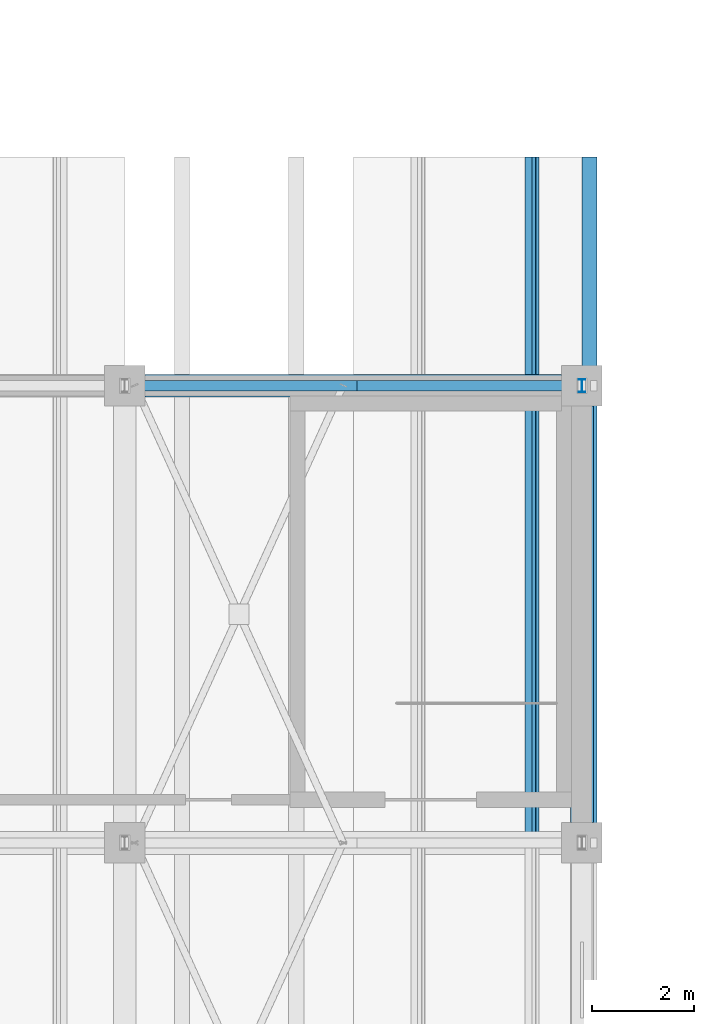
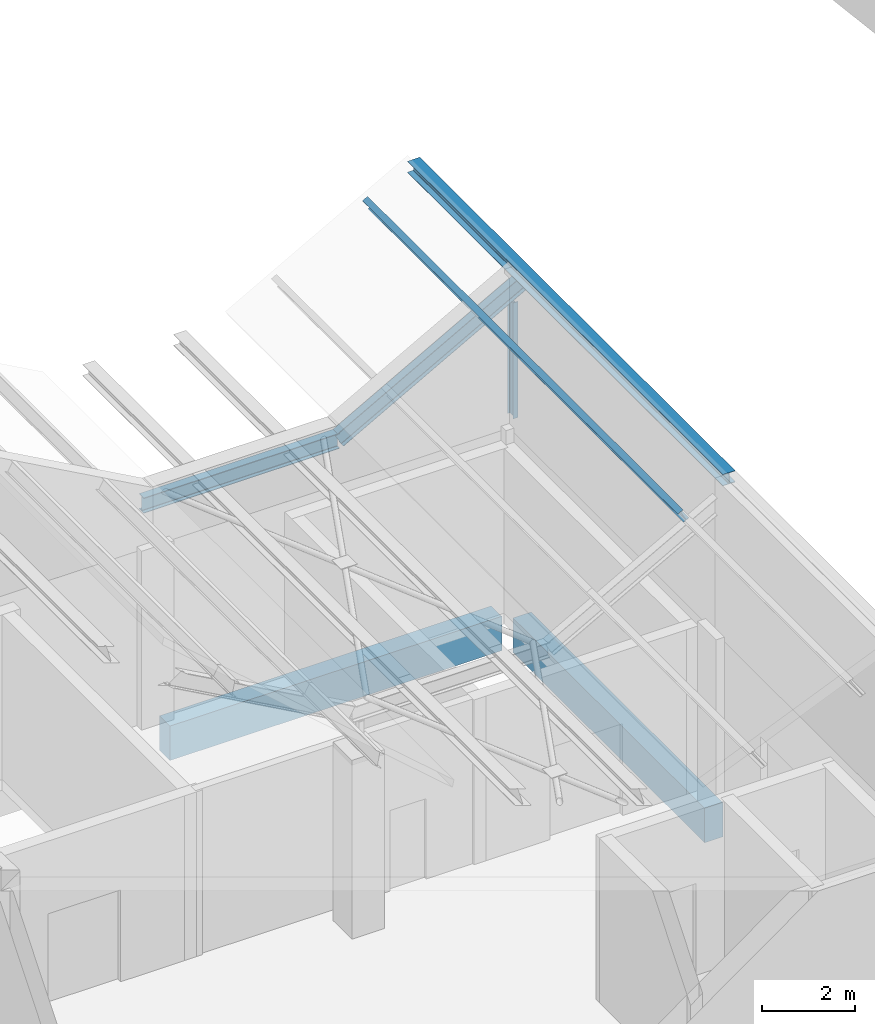
# One storey, part 77 of 437: 5 members, 2 beams.
"""IFC4 building model written with IfcOpenShell, lengths in metres."""

import ifcopenshell
import ifcopenshell.guid

model = None  # the IFC model being written
_history = None  # IfcOwnerHistory: only IFC2X3 demands one
_inside = {}  # id of a spatial element -> (the spatial element, [elements in it])
_under = {}  # id of a project, library or spatial element -> (it, [spatial elements below it])
_declared = {}  # id of a project -> (the project, [libraries it declares])
_typed = {}  # id of a type object -> (the type object, [elements of that type])
_made_of = {}  # id of a material, layer set ... -> (it, [elements and type objects made of it])


def new_model(schema):
    """Start an empty IFC model of exactly this schema.

    Asked for "IFC4X3", IfcOpenShell would pick the latest addendum, in which some entities
    have other attributes; the version numbers below select the first issue.
    IFC2X3 requires an IfcOwnerHistory on every rooted entity: one is made here for all.
    """
    global model, _history
    if schema == "IFC4X3":
        model = ifcopenshell.file(schema_version=(4, 3, 0, 0))
    else:
        model = ifcopenshell.file(schema=schema)
    _inside.clear()
    _under.clear()
    _declared.clear()
    _typed.clear()
    _made_of.clear()
    _history = None
    if model.schema == "IFC2X3":
        org = make("IfcOrganization", Name="unknown")
        user = make(
            "IfcPersonAndOrganization",
            ThePerson=make("IfcPerson", FamilyName="unknown"),
            TheOrganization=org,
        )
        app = make(
            "IfcApplication",
            ApplicationDeveloper=org,
            Version="unknown",
            ApplicationFullName="unknown",
            ApplicationIdentifier="unknown",
        )
        _history = make(
            "IfcOwnerHistory",
            OwningUser=user,
            OwningApplication=app,
            ChangeAction="ADDED",
            CreationDate=0,
        )
    return model


def make(cls, **values):
    """One entity of the class cls with the attributes given. An attribute that is None is left unset."""
    return model.create_entity(
        cls, **{name: value for name, value in values.items() if value is not None}
    )


def rooted(cls, **values):
    """An entity with a GlobalId (a new one), such as an element, a storey or a relation."""
    return make(cls, GlobalId=ifcopenshell.guid.new(), OwnerHistory=_history, **values)


def si_unit(unit_type, name, prefix=None):
    """IfcSIUnit, for example si_unit("LENGTHUNIT", "METRE", prefix="MILLI")."""
    return make("IfcSIUnit", UnitType=unit_type, Prefix=prefix, Name=name)


def assignment(units):
    """IfcUnitAssignment: the units of a project."""
    return None if units is None else make("IfcUnitAssignment", Units=units)


def point(xyz):
    """IfcCartesianPoint."""
    return None if xyz is None else make("IfcCartesianPoint", Coordinates=xyz)


def direction(xyz):
    """IfcDirection."""
    return None if xyz is None else make("IfcDirection", DirectionRatios=xyz)


def frame(location, z_axis=None, x_axis=None):
    """IfcAxis2Placement3D, a coordinate frame: its origin and axes. An axis left out is left unset."""
    return make(
        "IfcAxis2Placement3D",
        Location=point(location),
        Axis=direction(z_axis),
        RefDirection=direction(x_axis),
    )


def frame_2d(location, x_axis=None):
    """IfcAxis2Placement2D, a coordinate frame in the plane: its origin and x axis."""
    return make(
        "IfcAxis2Placement2D", Location=point(location), RefDirection=direction(x_axis)
    )


def origin():
    """The frame at (0, 0, 0) with its axes left unset."""
    return frame((0.0, 0.0, 0.0))


def origin_2d():
    """The frame at (0, 0) in the plane with its x axis left unset."""
    return frame_2d((0.0, 0.0))


def place(relative_to, where):
    """IfcLocalPlacement: puts the frame where relative to a parent placement (None: the world)."""
    return make(
        "IfcLocalPlacement", PlacementRelTo=relative_to, RelativePlacement=where
    )


def context(
    kind, dimensions, precision=None, world=None, true_north=None, identifier=None
):
    """IfcGeometricRepresentationContext, for example the 3D "Model" context."""
    return make(
        "IfcGeometricRepresentationContext",
        ContextIdentifier=identifier,
        ContextType=kind,
        CoordinateSpaceDimension=dimensions,
        Precision=precision,
        WorldCoordinateSystem=world,
        TrueNorth=true_north,
    )


def subcontext(parent, identifier, kind, view, scale=None):
    """IfcGeometricRepresentationSubContext, for example "Body" below "Model"."""
    return make(
        "IfcGeometricRepresentationSubContext",
        ContextIdentifier=identifier,
        ContextType=kind,
        ParentContext=parent,
        TargetScale=scale,
        TargetView=view,
    )


def project(units=None, contexts=None):
    """IfcProject with its units and contexts."""
    return rooted(
        "IfcProject",
        Name="project",
        RepresentationContexts=contexts,
        UnitsInContext=assignment(units),
    )


def spatial(cls, under=None, at=None, **own):
    """A site, building, storey or space (cls), placed at a placement, below another one or the project."""
    s = rooted(cls, ObjectPlacement=at, **own)
    if under is not None:
        _under.setdefault(under.id(), (under, []))[1].append(s)
    return s


def profile(cls, at=None, kind="AREA", **sizes):
    """A parametric profile (cls). Its sizes go by their IFC names, for example OverallWidth=200.0."""
    return make(cls, ProfileType=kind, Position=at, **sizes)


def rectangle(**sizes):
    """IfcRectangleProfileDef."""
    return profile("IfcRectangleProfileDef", **sizes)


def i_section(**sizes):
    """IfcIShapeProfileDef."""
    return profile("IfcIShapeProfileDef", **sizes)


def extrude(swept, where, along, depth):
    """IfcExtrudedAreaSolid: the profile swept, set in the frame where, extruded along a direction by depth."""
    return make(
        "IfcExtrudedAreaSolid",
        SweptArea=swept,
        Position=where,
        ExtrudedDirection=direction(along),
        Depth=depth,
    )


def shape(context_of_items, identifier, shape_type, items):
    """IfcShapeRepresentation: the items that make up one representation, for example the "Body"."""
    return make(
        "IfcShapeRepresentation",
        ContextOfItems=context_of_items,
        RepresentationIdentifier=identifier,
        RepresentationType=shape_type,
        Items=items,
    )


def material(Name=None, Category=None):
    """IfcMaterial."""
    return make("IfcMaterial", Name=Name, Category=Category)


def material_profile(
    of_material, cross_section, Name=None, Category=None, Priority=None
):
    """IfcMaterialProfile: a cross section and its material."""
    return make(
        "IfcMaterialProfile",
        Name=Name,
        Material=of_material,
        Profile=cross_section,
        Priority=Priority,
        Category=Category,
    )


def profile_set(profiles, Name=None, composite=None):
    """IfcMaterialProfileSet."""
    return make(
        "IfcMaterialProfileSet",
        Name=Name,
        MaterialProfiles=profiles,
        CompositeProfile=composite,
    )


def made_of(thing, what):
    """Note that an element or type object is made of a material, layer set ...; save() writes the relation."""
    if what is not None:
        _made_of.setdefault(what.id(), (what, []))[1].append(thing)
    return thing


def type_object(cls, material=None, **own):
    """A type object (cls), such as IfcWallType, which elements share."""
    return made_of(rooted(cls, **own), material)


def element(
    cls,
    number,
    at=None,
    inside=None,
    cuts=None,
    type_object=None,
    material=None,
    context=None,
    identifier="Body",
    shape_type=None,
    held_by="IfcProductDefinitionShape",
    body=None,
    shapes=None,
    **own,
):
    """One element of the class cls, such as IfcWall. Its Tag is "e" and its number.

    at: its placement. inside: the storey or other place that contains it. cuts: it is an
    opening in that element (IfcRelVoidsElement). A single representation is given by context,
    identifier, shape_type and body (its items); several are given by shapes. held_by: the class
    of the entity that holds the representations. save() writes the other relations.
    """
    e = rooted(cls, Tag="e%d" % number, ObjectPlacement=at, **own)
    if body is not None:
        shapes = [shape(context, identifier, shape_type, body)]
    if shapes is not None:
        e.Representation = make(held_by, Representations=shapes)
    if inside is not None:
        _inside.setdefault(inside.id(), (inside, []))[1].append(e)
    if cuts is not None:
        rooted(
            "IfcRelVoidsElement", RelatingBuildingElement=cuts, RelatedOpeningElement=e
        )
    if type_object is not None:
        _typed.setdefault(type_object.id(), (type_object, []))[1].append(e)
    return made_of(e, material)


def aggregate(whole, parts):
    """IfcRelAggregates: a whole, such as a stair, and the parts it consists of."""
    return rooted("IfcRelAggregates", RelatingObject=whole, RelatedObjects=parts)


def save(model, path):
    """Write the relations noted so far, then the file.

    IfcRelAggregates (storeys below a building ...), IfcRelContainedInSpatialStructure (elements
    in a storey), IfcRelDefinesByType, IfcRelAssociatesMaterial and IfcRelDeclares: one each for
    every whole, place, type object, material and project.
    """
    for whole, parts in _under.values():
        aggregate(whole, parts)
    for where, things in _inside.values():
        rooted(
            "IfcRelContainedInSpatialStructure",
            RelatedElements=things,
            RelatingStructure=where,
        )
    for kind, things in _typed.values():
        rooted("IfcRelDefinesByType", RelatedObjects=things, RelatingType=kind)
    for what, things in _made_of.values():
        rooted("IfcRelAssociatesMaterial", RelatedObjects=things, RelatingMaterial=what)
    for by, libraries in _declared.values():
        rooted("IfcRelDeclares", RelatingContext=by, RelatedDefinitions=libraries)
    model.write(path)


model = new_model("IFC4")

# Units and contexts
model_context = context("Model", 3, precision=1e-05, world=origin(), true_north=direction((0.0, 1.0)))
body_context = subcontext(model_context, "Body", "Model", "MODEL_VIEW")
ifc_project = project(units=[si_unit("LENGTHUNIT", "METRE"), si_unit("AREAUNIT", "SQUARE_METRE"), si_unit("VOLUMEUNIT", "CUBIC_METRE"), si_unit("PLANEANGLEUNIT", "RADIAN"), si_unit("MASSUNIT", "GRAM", prefix="KILO")], contexts=[model_context])

# Site, building, storey
site_placement = place(None, origin())
site = spatial("IfcSite", under=ifc_project, at=site_placement, CompositionType="ELEMENT")
building_placement = place(site_placement, origin())
building = spatial("IfcBuilding", under=site, at=building_placement, Name="Opaline Strait Convention Centre", CompositionType="ELEMENT")
storey_placement = place(building_placement, frame((0.0, 0.0, 11.5)))
storey = spatial("IfcBuildingStorey", under=building, at=storey_placement, Name="L02", CompositionType="ELEMENT", Elevation=11.5)

# Member
ifc_material_1 = material(Name="Steel Q355B", Category="steel")
ifc_material_profile_1 = material_profile(ifc_material_1, i_section(OverallWidth=0.300048828125, OverallDepth=0.300048828125, WebThickness=0.010009765625, FlangeThickness=0.014892578125, FilletRadius=0.012939453125, at=origin_2d()), Name="HW 300x300x10x15")
ifc_profile_set_1 = profile_set([ifc_material_profile_1], Name="Steel Q355B")
member_type_1 = type_object("IfcMemberType", Name="Crest purlin HW 300x300x10x15", PredefinedType="PURLIN", material=ifc_profile_set_1)
member_1_placement = place(storey_placement, frame((81.14990234375, 90.0, 8.449951171875), z_axis=(0.0, 1.0, 0.0), x_axis=(-1.0, 0.0, 0.0)))
element("IfcMember", 1, at=member_1_placement, inside=storey, type_object=member_type_1, Name="RU1 purlin facet 17 line 1", PredefinedType="PURLIN", context=body_context, shape_type="SweptSolid", body=[
    extrude(i_section(OverallWidth=0.300048828125, OverallDepth=0.300048828125, WebThickness=0.010009765625, FlangeThickness=0.014892578125, FilletRadius=0.012939453125, at=origin_2d()), origin(), (0.0, 0.0, 1.0), 13.5),
])

# Beams
ifc_material_2 = material(Name="Concrete C35", Category="concrete")
ifc_material_profile_2 = material_profile(ifc_material_2, rectangle(XDim=0.449951171875, YDim=0.89990234375, at=origin_2d()), Name="RC 450x900")
ifc_profile_set_2 = profile_set([ifc_material_profile_2], Name="Concrete C35")
beam_type = type_object("IfcBeamType", Name="RC beam 450x900 C35", PredefinedType="BEAM", material=ifc_profile_set_2)
for number, where, z_axis, x_axis, name in (
    (2, (72.39990234375, 99.0, -0.72998046875), (1.0, 0.0, 0.0), (0.0, 1.0, 0.0), "XB1 L02 72/99-81/99"),
    (3, (81.0, 90.39990234375, -0.72998046875), (0.0, 1.0, 0.0), (-1.0, 0.0, 0.0), "XB1 L02 81/90-81/99"),
):
    element("IfcBeam", number, at=place(storey_placement, frame(where, z_axis=z_axis, x_axis=x_axis)), inside=storey, type_object=beam_type, Name=name, PredefinedType="BEAM", context=body_context, shape_type="SweptSolid", body=[
        extrude(rectangle(XDim=0.449951171875, YDim=0.89990234375, at=origin_2d()), origin(), (0.0, 0.0, 1.0), 8.2001953125),
    ])

# Members
ifc_material_profile_3 = material_profile(ifc_material_1, i_section(OverallWidth=0.125, OverallDepth=0.25, WebThickness=0.006103515625, FlangeThickness=0.009033203125, FilletRadius=0.008056640625, at=origin_2d()), Name="HN 250x125x6x9")
ifc_profile_set_3 = profile_set([ifc_material_profile_3], Name="Steel Q355B")
member_type_2 = type_object("IfcMemberType", Name="Roof post HN 250x125x6x9", PredefinedType="STRUT", material=ifc_profile_set_3)
member_2_placement = place(storey_placement, frame((81.0, 99.0, 4.68994140625), z_axis=(0.0, 0.0, 1.0), x_axis=(1.0, 0.0, 0.0)))
element("IfcMember", 4, at=member_2_placement, inside=storey, type_object=member_type_2, Name="RP1 roof post at 81/99", PredefinedType="STRUT", context=body_context, shape_type="SweptSolid", body=[
    extrude(i_section(OverallWidth=0.125, OverallDepth=0.25, WebThickness=0.006103515625, FlangeThickness=0.009033203125, FilletRadius=0.008056640625, at=origin_2d()), origin(), (0.0, 0.0, 1.0), 3.031005859375),
])
ifc_material_profile_4 = material_profile(ifc_material_1, i_section(OverallWidth=0.14990234375, OverallDepth=0.300048828125, WebThickness=0.006591796875, FlangeThickness=0.009033203125, FilletRadius=0.012939453125, at=origin_2d()), Name="HN 300x150x6.5x9")
ifc_profile_set_4 = profile_set([ifc_material_profile_4], Name="Steel Q355B")
member_type_3 = type_object("IfcMemberType", Name="Roof purlin HN 300x150x6.5x9", PredefinedType="PURLIN", material=ifc_profile_set_4)
member_3_placement = place(storey_placement, frame((80.020751953125, 90.0, 7.86279296875), z_axis=(0.0, 1.0, 0.0), x_axis=(-0.874157310866, 0.0, -0.485642868639)))
element("IfcMember", 5, at=member_3_placement, inside=storey, type_object=member_type_3, Name="RU1 purlin facet 16 line 2", PredefinedType="PURLIN", context=body_context, shape_type="SweptSolid", body=[
    extrude(i_section(OverallWidth=0.14990234375, OverallDepth=0.300048828125, WebThickness=0.006591796875, FlangeThickness=0.009033203125, FilletRadius=0.012939453125, at=origin_2d()), origin(), (0.0, 0.0, 1.0), 13.5),
])
ifc_material_profile_5 = material_profile(ifc_material_1, i_section(OverallWidth=0.199951171875, OverallDepth=0.39990234375, WebThickness=0.008056640625, FlangeThickness=0.012939453125, FilletRadius=0.012939453125, at=origin_2d()), Name="HN 400x200x8x13")
ifc_profile_set_5 = profile_set([ifc_material_profile_5], Name="Steel Q355B")
member_type_4 = type_object("IfcMemberType", Name="Roof rafter HN 400x200x8x13", PredefinedType="RAFTER", material=ifc_profile_set_5)
member_4_placement = place(storey_placement, frame((71.83154296875, 99.0, 5.60009765625), z_axis=(1.0, 0.0, 0.0), x_axis=(0.0, 1.0, 0.0)))
element("IfcMember", 6, at=member_4_placement, inside=storey, type_object=member_type_4, Name="RR1 rafter line 11 facet 16", PredefinedType="RAFTER", context=body_context, shape_type="SweptSolid", body=[
    extrude(i_section(OverallWidth=0.199951171875, OverallDepth=0.39990234375, WebThickness=0.008056640625, FlangeThickness=0.012939453125, FilletRadius=0.012939453125, at=origin_2d()), origin(), (0.0, 0.0, 1.0), 4.8369140625),
])
member_5_placement = place(storey_placement, frame((76.66845703125, 99.0, 5.60009765625), z_axis=(0.874157276122, 0.0, 0.485642931179), x_axis=(0.0, 1.0, 0.0)))
element("IfcMember", 7, at=member_5_placement, inside=storey, type_object=member_type_4, Name="RR1 rafter line 11 facet 17", PredefinedType="RAFTER", context=body_context, shape_type="SweptSolid", body=[
    extrude(i_section(OverallWidth=0.199951171875, OverallDepth=0.39990234375, WebThickness=0.008056640625, FlangeThickness=0.012939453125, FilletRadius=0.012939453125, at=origin_2d()), origin(), (0.0, 0.0, 1.0), 5.147705078125),
])

save(model, "model.ifc")
